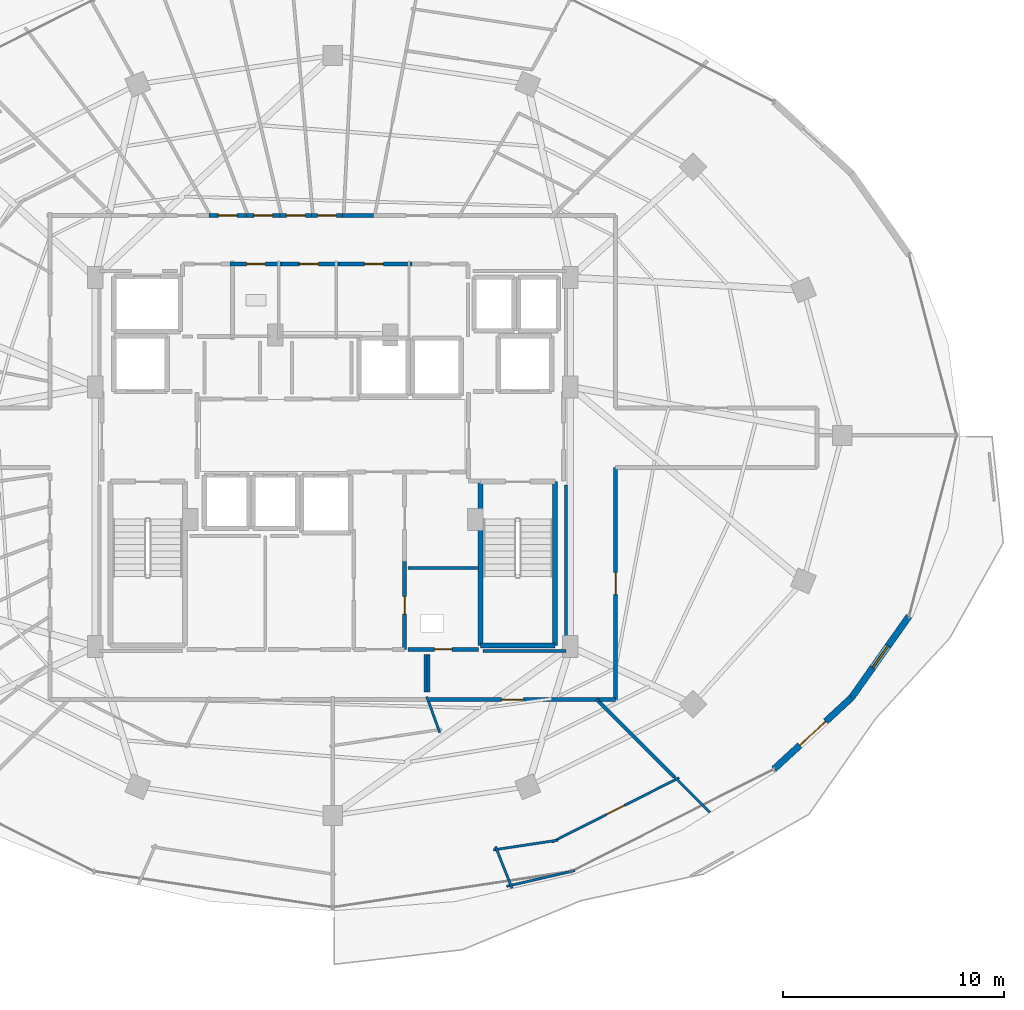
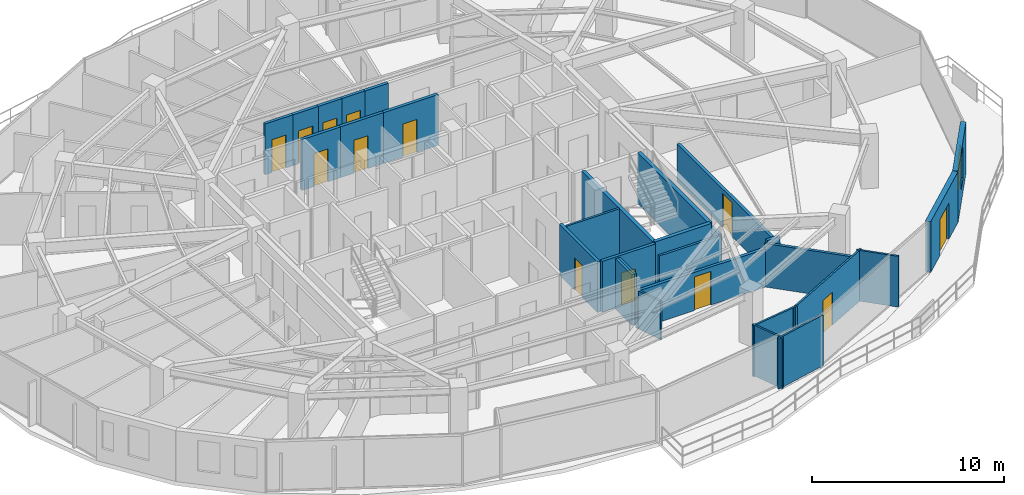
# One storey, part 27 of 33: 30 walls, 13 doors, 1 window, 14 openings.
"""IFC4 building model written with IfcOpenShell, lengths in metres."""

from ifc_helpers import new_model, si_unit, direction, frame, frame_2d, origin, place, context, subcontext, project, spatial, rectangle, extrude, material, layer, layer_set, type_object, element, fill, save


model = new_model("IFC4")

# Units and contexts
model_context = context("Model", 3, precision=1e-05, world=origin(), true_north=direction((0.0, 1.0)))
body_context = subcontext(model_context, "Body", "Model", "MODEL_VIEW")
ifc_project = project(units=[si_unit("LENGTHUNIT", "METRE"), si_unit("AREAUNIT", "SQUARE_METRE"), si_unit("VOLUMEUNIT", "CUBIC_METRE"), si_unit("PLANEANGLEUNIT", "RADIAN"), si_unit("MASSUNIT", "GRAM", prefix="KILO")], contexts=[model_context])

# Site, building, storey
site_placement = place(None, origin())
site = spatial("IfcSite", under=ifc_project, at=site_placement, CompositionType="ELEMENT")
building_placement = place(site_placement, origin())
building = spatial("IfcBuilding", under=site, at=building_placement, Name="Vorneva Point Tower", CompositionType="ELEMENT")
storey_placement = place(building_placement, frame((0.0, 0.0, 189.60009765625)))
storey = spatial("IfcBuildingStorey", under=building, at=storey_placement, Name="L51", CompositionType="ELEMENT", Elevation=189.60009765625)

# Wall, opening, door
ifc_material_1 = material(Name="Precast concrete B50 (C40/50)", Category="concrete")
ifc_layer_1 = layer(ifc_material_1, 0.300048828125)
ifc_layer_set_1 = layer_set([ifc_layer_1], Name="Precast concrete B50 (C40/50)")
wall_type_1 = type_object("IfcWallType", Name="WL-EXT-300", PredefinedType="STANDARD", material=ifc_layer_set_1)
wall_1_placement = place(storey_placement, frame((57.961669921875, 10.9033203125, 0.0), z_axis=(0.0, 0.0, 1.0), x_axis=(0.735359993374, 0.677676678177, 0.0)))
wall_1 = element("IfcWall", 1, at=wall_1_placement, inside=storey, type_object=wall_type_1, Name="L51 Pale-Metal Facade Spandrel Wall 15.1", PredefinedType="STANDARD", context=body_context, shape_type="SweptSolid", body=[
    extrude(rectangle(XDim=4.774169921875, YDim=0.300048828125, at=frame_2d((2.38720703125, 0.0))), origin(), (0.0, 0.0, 1.0), 3.239990234375),
])
opening_1_placement = place(wall_1_placement, frame((1.587158203125, 0.0, 0.0)))
opening_1 = element("IfcOpeningElement", 2, at=opening_1_placement, cuts=wall_1, Name="Opening BD-01", PredefinedType="OPENING", context=body_context, shape_type="SweptSolid", body=[
    extrude(rectangle(XDim=1.60009765625, YDim=2.300048828125, at=frame_2d((0.800048828125, 1.14990234375))), frame((0.0, 0.1650390625, 0.0), z_axis=(0.0, -1.0, 0.0), x_axis=(1.0, 0.0, 0.0)), (0.0, 0.0, 1.0), 0.329833984375),
])
ifc_material_2 = material(Name="Pale anodised aluminium", Category="aluminium")
door_type_1 = type_object("IfcDoorType", Name="DR-BAL-1600", OperationType="SLIDING_TO_LEFT", PredefinedType="DOOR", material=ifc_material_2)
door_1_placement = place(opening_1_placement, origin())
door_1 = element("IfcDoor", 3, at=door_1_placement, inside=storey, type_object=door_type_1, Name="L51 Balcony Terrace Access Door 15", OperationType="SLIDING_TO_LEFT", OverallHeight=2.300048828125, OverallWidth=1.60009765625, PredefinedType="DOOR", context=body_context, shape_type="SweptSolid", body=[
    extrude(rectangle(XDim=1.60009765625, YDim=2.300048828125, at=frame_2d((0.800048828125, 1.14990234375))), frame((0.0, 0.02490234375, 0.0), z_axis=(0.0, -1.0, 0.0), x_axis=(1.0, 0.0, 0.0)), (0.0, 0.0, 1.0), 0.050048828125),
])
fill(opening_1, door_1)

# Wall, opening, window
wall_2_placement = place(storey_placement, frame((61.472412109375, 14.138671875, 0.0), z_axis=(0.0, 0.0, 1.0), x_axis=(0.577168747264, 0.81662490605, 0.0)))
wall_2 = element("IfcWall", 4, at=wall_2_placement, inside=storey, type_object=wall_type_1, Name="L51 Pale-Metal Facade Spandrel Wall 15.2", PredefinedType="STANDARD", context=body_context, shape_type="SweptSolid", body=[
    extrude(rectangle(XDim=4.519775390625, YDim=0.300048828125, at=frame_2d((2.259765625, 0.0))), origin(), (0.0, 0.0, 1.0), 3.239990234375),
])
opening_2_placement = place(wall_2_placement, frame((1.659912109375, 0.0, 0.85009765625)))
opening_2 = element("IfcOpeningElement", 5, at=opening_2_placement, cuts=wall_2, Name="Opening W-04", PredefinedType="OPENING", context=body_context, shape_type="SweptSolid", body=[
    extrude(rectangle(XDim=1.199951171875, YDim=2.10009765625, at=frame_2d((0.60009765625, 1.050048828125))), frame((0.0, 0.1650390625, 0.0), z_axis=(0.0, -1.0, 0.0), x_axis=(1.0, 0.0, 0.0)), (0.0, 0.0, 1.0), 0.329833984375),
])
ifc_material_3 = material(Name="Double low-e laminated glass IGU", Category="glass")
window_type = type_object("IfcWindowType", Name="WN-RES-1200", PartitioningType="SINGLE_PANEL", PredefinedType="WINDOW", material=ifc_material_3)
window_placement = place(opening_2_placement, origin())
window = element("IfcWindow", 6, at=window_placement, inside=storey, type_object=window_type, Name="L51 Facade Window 15", OverallHeight=2.10009765625, OverallWidth=1.199951171875, PartitioningType="SINGLE_PANEL", PredefinedType="WINDOW", context=body_context, shape_type="SweptSolid", body=[
    extrude(rectangle(XDim=1.199951171875, YDim=2.10009765625, at=frame_2d((0.60009765625, 1.050048828125))), frame((0.0, 0.030029296875, 0.0), z_axis=(0.0, -1.0, 0.0), x_axis=(1.0, 0.0, 0.0)), (0.0, 0.0, 1.0), 0.06005859375),
])
fill(opening_2, window)

# Walls
ifc_material_4 = material(Name="Fire-rated acoustic gypsum stud partition", Category="gypsum")
ifc_layer_2 = layer(ifc_material_4, 0.110107421875)
ifc_layer_set_2 = layer_set([ifc_layer_2], Name="Fire-rated acoustic gypsum stud partition")
wall_type_2 = type_object("IfcWallType", Name="WL-PART-110", PredefinedType="PARTITIONING", material=ifc_layer_set_2)
wall_3_placement = place(storey_placement, frame((42.25439453125, 14.181640625, 0.0), z_axis=(0.0, 0.0, 1.0), x_axis=(0.339193876721, -0.940716489701, 0.0)))
element("IfcWall", 7, at=wall_3_placement, inside=storey, type_object=wall_type_2, Name="L51 Interior Partition 124", PredefinedType="PARTITIONING", context=body_context, shape_type="SweptSolid", body=[
    extrude(rectangle(XDim=1.73095703125, YDim=0.110107421875, at=frame_2d((0.865478515625, 0.0))), origin(), (0.0, 0.0, 1.0), 2.431884765625),
])
wall_4_placement = place(storey_placement, frame((46.109619140625, 5.516845703125, 0.0), z_axis=(0.0, 0.0, 1.0), x_axis=(-0.368148258243, 0.929767099844, 0.0)))
element("IfcWall", 8, at=wall_4_placement, inside=storey, type_object=wall_type_2, Name="L51 Interior Partition 126", PredefinedType="PARTITIONING", context=body_context, shape_type="SweptSolid", body=[
    extrude(rectangle(XDim=2.026611328125, YDim=0.110107421875, at=frame_2d((1.01318359375, 0.0))), origin(), (0.0, 0.0, 1.0), 3.239990234375),
])
wall_5_placement = place(storey_placement, frame((45.276611328125, 7.25, 0.0), z_axis=(0.0, 0.0, 1.0), x_axis=(0.988815285508, 0.149145335648, 0.0)))
element("IfcWall", 9, at=wall_5_placement, inside=storey, type_object=wall_type_2, Name="L51 Interior Partition 127", PredefinedType="PARTITIONING", context=body_context, shape_type="SweptSolid", body=[
    extrude(rectangle(XDim=2.936767578125, YDim=0.110107421875, at=frame_2d((1.46826171875, 0.0))), origin(), (0.0, 0.0, 1.0), 3.239990234375),
])

# Wall, opening, door
wall_6_placement = place(storey_placement, frame((47.9169921875, 7.60400390625, 0.0), z_axis=(0.0, 0.0, 1.0), x_axis=(0.892549884102, 0.450948671569, 0.0)))
wall_6 = element("IfcWall", 10, at=wall_6_placement, inside=storey, type_object=wall_type_2, Name="L51 Interior Partition 128", PredefinedType="PARTITIONING", context=body_context, shape_type="SweptSolid", body=[
    extrude(rectangle(XDim=6.451171875, YDim=0.110107421875, at=frame_2d((3.2255859375, 0.0))), origin(), (0.0, 0.0, 1.0), 3.239990234375),
])
opening_3_placement = place(wall_6_placement, frame((2.775634765625, 0.0, 0.0)))
opening_3 = element("IfcOpeningElement", 11, at=opening_3_placement, cuts=wall_6, Name="Opening ID-01", PredefinedType="OPENING", context=body_context, shape_type="SweptSolid", body=[
    extrude(rectangle(XDim=0.89990234375, YDim=2.10009765625, at=frame_2d((0.449951171875, 1.050048828125))), frame((0.0, 0.06982421875, 0.0), z_axis=(0.0, -1.0, 0.0), x_axis=(1.0, 0.0, 0.0)), (0.0, 0.0, 1.0), 0.139892578125),
])
ifc_material_5 = material(Name="Engineered oak fire-rated door leaf", Category="wood")
door_type_2 = type_object("IfcDoorType", Name="DR-ROOM-900", OperationType="NOTDEFINED", PredefinedType="DOOR", material=ifc_material_5)
door_2_placement = place(opening_3_placement, origin())
door_2 = element("IfcDoor", 12, at=door_2_placement, inside=storey, type_object=door_type_2, Name="L51 Door Studio Apartment L51-04 / Kitchen L51-04", OperationType="SINGLE_SWING_LEFT", OverallHeight=2.10009765625, OverallWidth=0.89990234375, PredefinedType="DOOR", context=body_context, shape_type="SweptSolid", body=[
    extrude(rectangle(XDim=0.89990234375, YDim=2.10009765625, at=frame_2d((0.449951171875, 1.050048828125))), frame((0.0, 0.02490234375, 0.0), z_axis=(0.0, -1.0, 0.0), x_axis=(1.0, 0.0, 0.0)), (0.0, 0.0, 1.0), 0.050048828125),
])
fill(opening_3, door_2)

# Walls
wall_7_placement = place(storey_placement, frame((53.450927734375, 10.549072265625, 0.0), z_axis=(0.0, 0.0, 1.0), x_axis=(0.707106781187, -0.707106781187, 0.0)))
element("IfcWall", 13, at=wall_7_placement, inside=storey, type_object=wall_type_2, Name="L51 Interior Partition 129", PredefinedType="PARTITIONING", context=body_context, shape_type="SweptSolid", body=[
    extrude(rectangle(XDim=2.27294921875, YDim=0.110107421875, at=frame_2d((1.136474609375, 0.0))), origin(), (0.0, 0.0, 1.0), 3.239990234375),
])
wall_8_placement = place(storey_placement, frame((45.862548828125, 5.601806640625, 0.0), z_axis=(0.0, 0.0, 1.0), x_axis=(0.974621780148, 0.223857958671, 0.0)))
element("IfcWall", 14, at=wall_8_placement, inside=storey, type_object=wall_type_2, Name="L51 Interior Partition 130", PredefinedType="PARTITIONING", context=body_context, shape_type="SweptSolid", body=[
    extrude(rectangle(XDim=3.169189453125, YDim=0.110107421875, at=frame_2d((1.58447265625, 0.0))), origin(), (0.0, 0.0, 1.0), 3.239990234375),
])
ifc_layer_3 = layer(ifc_material_4, 0.125)
ifc_layer_set_3 = layer_set([ifc_layer_3], Name="Fire-rated acoustic gypsum stud partition")
wall_type_3 = type_object("IfcWallType", Name="WL-PART-125", PredefinedType="PARTITIONING", material=ifc_layer_set_3)
wall_9_placement = place(storey_placement, frame((44.60009765625, 20.0, 0.0), z_axis=(0.0, 0.0, 1.0), x_axis=(-1.0, 0.0, 0.0)))
element("IfcWall", 15, at=wall_9_placement, inside=storey, type_object=wall_type_3, Name="L51 Interior Partition 018", PredefinedType="PARTITIONING", context=body_context, shape_type="SweptSolid", body=[
    extrude(rectangle(XDim=3.2001953125, YDim=0.125, at=frame_2d((1.60009765625, 0.0))), origin(), (0.0, 0.0, 1.0), 3.239990234375),
])
ifc_layer_4 = layer(ifc_material_4, 0.139892578125)
ifc_layer_set_4 = layer_set([ifc_layer_4], Name="Fire-rated acoustic gypsum stud partition")
wall_type_4 = type_object("IfcWallType", Name="WL-PART-140", PredefinedType="PARTITIONING", material=ifc_layer_set_4)
wall_10_placement = place(storey_placement, frame((42.199951171875, 16.10009765625, 0.0), z_axis=(0.0, 0.0, 1.0), x_axis=(0.0, -1.0, 0.0)))
element("IfcWall", 16, at=wall_10_placement, inside=storey, type_object=wall_type_4, Name="L51 Interior Closure Partition 150", PredefinedType="PARTITIONING", context=body_context, shape_type="SweptSolid", body=[
    extrude(rectangle(XDim=1.705078125, YDim=0.139892578125, at=frame_2d((0.8525390625, 0.0))), origin(), (0.0, 0.0, 1.0), 3.239990234375),
])
wall_11_placement = place(storey_placement, frame((42.340087890625, 14.384033203125, 0.0), z_axis=(0.0, 0.0, 1.0), x_axis=(0.0, 1.0, 0.0)))
element("IfcWall", 17, at=wall_11_placement, inside=storey, type_object=wall_type_4, Name="L51 Interior Closure Partition 151", PredefinedType="PARTITIONING", context=body_context, shape_type="SweptSolid", body=[
    extrude(rectangle(XDim=1.716064453125, YDim=0.139892578125, at=frame_2d((0.85791015625, 0.0))), origin(), (0.0, 0.0, 1.0), 3.239990234375),
])
wall_12_placement = place(storey_placement, frame((44.804931640625, 16.239990234375, 0.0), z_axis=(0.0, 0.0, 1.0), x_axis=(1.0, 0.0, 0.0)))
element("IfcWall", 18, at=wall_12_placement, inside=storey, type_object=wall_type_4, Name="L51 Interior Closure Partition 152", PredefinedType="PARTITIONING", context=body_context, shape_type="SweptSolid", body=[
    extrude(rectangle(XDim=3.7451171875, YDim=0.139892578125, at=frame_2d((1.87255859375, 0.0))), origin(), (0.0, 0.0, 1.0), 2.431884765625),
])
wall_13_placement = place(storey_placement, frame((48.550048828125, 16.239990234375, 0.0), z_axis=(0.0, 0.0, 1.0), x_axis=(0.0, 1.0, 0.0)))
element("IfcWall", 19, at=wall_13_placement, inside=storey, type_object=wall_type_4, Name="L51 Interior Closure Partition 153", PredefinedType="PARTITIONING", context=body_context, shape_type="SweptSolid", body=[
    extrude(rectangle(XDim=7.513916015625, YDim=0.139892578125, at=frame_2d((3.7568359375, 0.0))), origin(), (0.0, 0.0, 1.0), 2.431884765625),
])
ifc_layer_5 = layer(ifc_material_4, 0.159912109375)
ifc_layer_set_5 = layer_set([ifc_layer_5], Name="Fire-rated acoustic gypsum stud partition")
wall_type_5 = type_object("IfcWallType", Name="WL-PART-160", PredefinedType="PARTITIONING", material=ifc_layer_set_5)
wall_14_placement = place(storey_placement, frame((53.450927734375, 10.549072265625, 0.0), z_axis=(0.0, 0.0, 1.0), x_axis=(-0.707106781187, 0.707106781187, 0.0)))
element("IfcWall", 20, at=wall_14_placement, inside=storey, type_object=wall_type_5, Name="L51 Interior Partition 131", PredefinedType="PARTITIONING", context=body_context, shape_type="SweptSolid", body=[
    extrude(rectangle(XDim=4.951171875, YDim=0.159912109375, at=frame_2d((2.4755859375, 0.0))), origin(), (0.0, 0.0, 1.0), 2.77392578125),
])

# Wall, opening, door
ifc_material_6 = material(Name="Autoclaved aerated concrete blockwork", Category="masonry")
ifc_layer_6 = layer(ifc_material_6, 0.179931640625)
ifc_layer_set_6 = layer_set([ifc_layer_6], Name="Autoclaved aerated concrete blockwork")
wall_type_6 = type_object("IfcWallType", Name="WL-PART-180", PredefinedType="PARTITIONING", material=ifc_layer_set_6)
wall_15_placement = place(storey_placement, frame((41.25, 16.320068359375, 0.0), z_axis=(0.0, 0.0, 1.0), x_axis=(0.0, 1.0, 0.0)))
wall_15 = element("IfcWall", 21, at=wall_15_placement, inside=storey, type_object=wall_type_6, Name="L51 Interior Partition 014", PredefinedType="PARTITIONING", context=body_context, shape_type="SweptSolid", body=[
    extrude(rectangle(XDim=3.98486328125, YDim=0.179931640625, at=frame_2d((1.992431640625, 0.0))), origin(), (0.0, 0.0, 1.0), 3.239990234375),
])
opening_4_placement = place(wall_15_placement, frame((1.592529296875, 0.0, 0.0)))
opening_4 = element("IfcOpeningElement", 22, at=opening_4_placement, cuts=wall_15, Name="Opening RD-01", PredefinedType="OPENING", context=body_context, shape_type="SweptSolid", body=[
    extrude(rectangle(XDim=0.800048828125, YDim=2.050048828125, at=frame_2d((0.39990234375, 1.02490234375))), frame((0.0, 0.10498046875, 0.0), z_axis=(0.0, -1.0, 0.0), x_axis=(1.0, 0.0, 0.0)), (0.0, 0.0, 1.0), 0.209716796875),
])
ifc_material_7 = material(Name="Fire-rated powder-coated steel", Category="steel")
door_type_3 = type_object("IfcDoorType", Name="DR-RSR-800", OperationType="SINGLE_SWING_LEFT", PredefinedType="DOOR", material=ifc_material_7)
door_3_placement = place(opening_4_placement, origin())
door_3 = element("IfcDoor", 23, at=door_3_placement, inside=storey, type_object=door_type_3, Name="L51 Door Core Service Lobby / Electrical Riser", OperationType="SINGLE_SWING_LEFT", OverallHeight=2.050048828125, OverallWidth=0.800048828125, PredefinedType="DOOR", context=body_context, shape_type="SweptSolid", body=[
    extrude(rectangle(XDim=0.800048828125, YDim=2.050048828125, at=frame_2d((0.39990234375, 1.02490234375))), frame((0.0, 0.02490234375, 0.0), z_axis=(0.0, -1.0, 0.0), x_axis=(1.0, 0.0, 0.0)), (0.0, 0.0, 1.0), 0.050048828125),
])
fill(opening_4, door_3)

wall_16_placement = place(storey_placement, frame((41.39990234375, 16.320068359375, 0.0), z_axis=(0.0, 0.0, 1.0), x_axis=(1.0, 0.0, 0.0)))
wall_16 = element("IfcWall", 24, at=wall_16_placement, inside=storey, type_object=wall_type_6, Name="L51 Interior Partition 019", PredefinedType="PARTITIONING", context=body_context, shape_type="SweptSolid", body=[
    extrude(rectangle(XDim=3.2001953125, YDim=0.179931640625, at=frame_2d((1.60009765625, 0.0))), origin(), (0.0, 0.0, 1.0), 3.239990234375),
])
opening_5_placement = place(wall_16_placement, frame((1.199951171875, 0.0, 0.0)))
opening_5 = element("IfcOpeningElement", 25, at=opening_5_placement, cuts=wall_16, Name="Opening RD-01", PredefinedType="OPENING", context=body_context, shape_type="SweptSolid", body=[
    extrude(rectangle(XDim=0.800048828125, YDim=2.050048828125, at=frame_2d((0.39990234375, 1.02490234375))), frame((0.0, 0.10498046875, 0.0), z_axis=(0.0, -1.0, 0.0), x_axis=(1.0, 0.0, 0.0)), (0.0, 0.0, 1.0), 0.209716796875),
])
door_4_placement = place(opening_5_placement, origin())
door_4 = element("IfcDoor", 26, at=door_4_placement, inside=storey, type_object=door_type_3, Name="L51 Door Electrical Riser / L51 Circulation Corridor", OperationType="SINGLE_SWING_LEFT", OverallHeight=2.050048828125, OverallWidth=0.800048828125, PredefinedType="DOOR", context=body_context, shape_type="SweptSolid", body=[
    extrude(rectangle(XDim=0.800048828125, YDim=2.050048828125, at=frame_2d((0.39990234375, 1.02490234375))), frame((0.0, 0.02490234375, 0.0), z_axis=(0.0, -1.0, 0.0), x_axis=(1.0, 0.0, 0.0)), (0.0, 0.0, 1.0), 0.050048828125),
])
fill(opening_5, door_4)

wall_17_placement = place(storey_placement, frame((35.68994140625, 33.760009765625, 0.0), z_axis=(0.0, 0.0, 1.0), x_axis=(-1.0, 0.0, 0.0)))
wall_17 = element("IfcWall", 27, at=wall_17_placement, inside=storey, type_object=wall_type_6, Name="L51 Interior Partition 022", PredefinedType="PARTITIONING", context=body_context, shape_type="SweptSolid", body=[
    extrude(rectangle(XDim=2.329833984375, YDim=0.179931640625, at=frame_2d((1.1650390625, 0.0))), origin(), (0.0, 0.0, 1.0), 3.239990234375),
])
opening_6_placement = place(wall_17_placement, frame((0.739990234375, 0.0, 0.0)))
opening_6 = element("IfcOpeningElement", 28, at=opening_6_placement, cuts=wall_17, Name="Opening ID-02", PredefinedType="OPENING", context=body_context, shape_type="SweptSolid", body=[
    extrude(rectangle(XDim=0.85009765625, YDim=2.10009765625, at=frame_2d((0.425048828125, 1.050048828125))), frame((0.0, 0.10498046875, 0.0), z_axis=(0.0, -1.0, 0.0), x_axis=(1.0, 0.0, 0.0)), (0.0, 0.0, 1.0), 0.209716796875),
])
door_type_4 = type_object("IfcDoorType", Name="DR-BATH-850", OperationType="NOTDEFINED", PredefinedType="DOOR", material=ifc_material_5)
door_5_placement = place(opening_6_placement, origin())
door_5 = element("IfcDoor", 29, at=door_5_placement, inside=storey, type_object=door_type_4, Name="L51 Door Accessible WC / L51 Circulation Corridor", OperationType="SINGLE_SWING_RIGHT", OverallHeight=2.10009765625, OverallWidth=0.85009765625, PredefinedType="DOOR", context=body_context, shape_type="SweptSolid", body=[
    extrude(rectangle(XDim=0.85009765625, YDim=2.10009765625, at=frame_2d((0.425048828125, 1.050048828125))), frame((0.0, 0.02490234375, 0.0), z_axis=(0.0, -1.0, 0.0), x_axis=(1.0, 0.0, 0.0)), (0.0, 0.0, 1.0), 0.050048828125),
])
fill(opening_6, door_5)

wall_18_placement = place(storey_placement, frame((38.2900390625, 33.760009765625, 0.0), z_axis=(0.0, 0.0, 1.0), x_axis=(-1.0, 0.0, 0.0)))
wall_18 = element("IfcWall", 30, at=wall_18_placement, inside=storey, type_object=wall_type_6, Name="L51 Interior Partition 025", PredefinedType="PARTITIONING", context=body_context, shape_type="SweptSolid", body=[
    extrude(rectangle(XDim=2.739990234375, YDim=0.179931640625, at=frame_2d((1.3701171875, 0.0))), origin(), (0.0, 0.0, 1.0), 3.239990234375),
])
opening_7_placement = place(wall_18_placement, frame((0.945068359375, 0.0, 0.0)))
opening_7 = element("IfcOpeningElement", 31, at=opening_7_placement, cuts=wall_18, Name="Opening ID-02", PredefinedType="OPENING", context=body_context, shape_type="SweptSolid", body=[
    extrude(rectangle(XDim=0.85009765625, YDim=2.10009765625, at=frame_2d((0.425048828125, 1.050048828125))), frame((0.0, 0.10498046875, 0.0), z_axis=(0.0, -1.0, 0.0), x_axis=(1.0, 0.0, 0.0)), (0.0, 0.0, 1.0), 0.209716796875),
])
door_6_placement = place(opening_7_placement, origin())
door_6 = element("IfcDoor", 32, at=door_6_placement, inside=storey, type_object=door_type_4, Name="L51 Door Public Male WC / L51 Circulation Corridor", OperationType="SINGLE_SWING_LEFT", OverallHeight=2.10009765625, OverallWidth=0.85009765625, PredefinedType="DOOR", context=body_context, shape_type="SweptSolid", body=[
    extrude(rectangle(XDim=0.85009765625, YDim=2.10009765625, at=frame_2d((0.425048828125, 1.050048828125))), frame((0.0, 0.02490234375, 0.0), z_axis=(0.0, -1.0, 0.0), x_axis=(1.0, 0.0, 0.0)), (0.0, 0.0, 1.0), 0.050048828125),
])
fill(opening_7, door_6)

wall_19_placement = place(storey_placement, frame((41.590087890625, 33.760009765625, 0.0), z_axis=(0.0, 0.0, 1.0), x_axis=(-1.0, 0.0, 0.0)))
wall_19 = element("IfcWall", 33, at=wall_19_placement, inside=storey, type_object=wall_type_6, Name="L51 Interior Partition 028", PredefinedType="PARTITIONING", context=body_context, shape_type="SweptSolid", body=[
    extrude(rectangle(XDim=3.440185546875, YDim=0.179931640625, at=frame_2d((1.72021484375, 0.0))), origin(), (0.0, 0.0, 1.0), 3.239990234375),
])
opening_8_placement = place(wall_19_placement, frame((1.294921875, 0.0, 0.0)))
opening_8 = element("IfcOpeningElement", 34, at=opening_8_placement, cuts=wall_19, Name="Opening ID-02", PredefinedType="OPENING", context=body_context, shape_type="SweptSolid", body=[
    extrude(rectangle(XDim=0.85009765625, YDim=2.10009765625, at=frame_2d((0.425048828125, 1.050048828125))), frame((0.0, 0.10498046875, 0.0), z_axis=(0.0, -1.0, 0.0), x_axis=(1.0, 0.0, 0.0)), (0.0, 0.0, 1.0), 0.209716796875),
])
door_7_placement = place(opening_8_placement, origin())
door_7 = element("IfcDoor", 35, at=door_7_placement, inside=storey, type_object=door_type_4, Name="L51 Door Public Female WC / L51 Circulation Corridor", OperationType="SINGLE_SWING_RIGHT", OverallHeight=2.10009765625, OverallWidth=0.85009765625, PredefinedType="DOOR", context=body_context, shape_type="SweptSolid", body=[
    extrude(rectangle(XDim=0.85009765625, YDim=2.10009765625, at=frame_2d((0.425048828125, 1.050048828125))), frame((0.0, 0.02490234375, 0.0), z_axis=(0.0, -1.0, 0.0), x_axis=(1.0, 0.0, 0.0)), (0.0, 0.0, 1.0), 0.050048828125),
])
fill(opening_8, door_7)

# Wall
wall_20_placement = place(storey_placement, frame((39.837890625, 35.949951171875, 0.0), z_axis=(0.0, 0.0, 1.0), x_axis=(-1.0, 0.0, 0.0)))
element("IfcWall", 36, at=wall_20_placement, inside=storey, type_object=wall_type_6, Name="L51 Interior Partition 036", PredefinedType="PARTITIONING", context=body_context, shape_type="SweptSolid", body=[
    extrude(rectangle(XDim=1.406005859375, YDim=0.179931640625, at=frame_2d((0.703125, 0.0))), origin(), (0.0, 0.0, 1.0), 3.239990234375),
])

# Wall, opening, door
wall_21_placement = place(storey_placement, frame((38.431884765625, 35.949951171875, 0.0), z_axis=(0.0, 0.0, 1.0), x_axis=(-1.0, 0.0, 0.0)))
wall_21 = element("IfcWall", 37, at=wall_21_placement, inside=storey, type_object=wall_type_6, Name="L51 Interior Partition 037", PredefinedType="PARTITIONING", context=body_context, shape_type="SweptSolid", body=[
    extrude(rectangle(XDim=1.387939453125, YDim=0.179931640625, at=frame_2d((0.69384765625, 0.0))), origin(), (0.0, 0.0, 1.0), 3.239990234375),
])
opening_9_placement = place(wall_21_placement, frame((0.26904296875, 0.0, 0.0)))
opening_9 = element("IfcOpeningElement", 38, at=opening_9_placement, cuts=wall_21, Name="Opening ID-02", PredefinedType="OPENING", context=body_context, shape_type="SweptSolid", body=[
    extrude(rectangle(XDim=0.85009765625, YDim=2.10009765625, at=frame_2d((0.425048828125, 1.050048828125))), frame((0.0, 0.10498046875, 0.0), z_axis=(0.0, -1.0, 0.0), x_axis=(1.0, 0.0, 0.0)), (0.0, 0.0, 1.0), 0.209716796875),
])
door_8_placement = place(opening_9_placement, origin())
door_8 = element("IfcDoor", 39, at=door_8_placement, inside=storey, type_object=door_type_4, Name="L51 Access Door L51 Circulation Corridor", OperationType="SINGLE_SWING_RIGHT", OverallHeight=2.10009765625, OverallWidth=0.85009765625, PredefinedType="DOOR", context=body_context, shape_type="SweptSolid", body=[
    extrude(rectangle(XDim=0.85009765625, YDim=2.10009765625, at=frame_2d((0.425048828125, 1.050048828125))), frame((0.0, 0.02490234375, 0.0), z_axis=(0.0, -1.0, 0.0), x_axis=(1.0, 0.0, 0.0)), (0.0, 0.0, 1.0), 0.050048828125),
])
fill(opening_9, door_8)

wall_22_placement = place(storey_placement, frame((37.0439453125, 35.949951171875, 0.0), z_axis=(0.0, 0.0, 1.0), x_axis=(-1.0, 0.0, 0.0)))
wall_22 = element("IfcWall", 40, at=wall_22_placement, inside=storey, type_object=wall_type_6, Name="L51 Interior Partition 038", PredefinedType="PARTITIONING", context=body_context, shape_type="SweptSolid", body=[
    extrude(rectangle(XDim=1.423828125, YDim=0.179931640625, at=frame_2d((0.7119140625, 0.0))), origin(), (0.0, 0.0, 1.0), 3.239990234375),
])
opening_10_placement = place(wall_22_placement, frame((0.287109375, 0.0, 0.0)))
opening_10 = element("IfcOpeningElement", 41, at=opening_10_placement, cuts=wall_22, Name="Opening ID-02", PredefinedType="OPENING", context=body_context, shape_type="SweptSolid", body=[
    extrude(rectangle(XDim=0.85009765625, YDim=2.10009765625, at=frame_2d((0.425048828125, 1.050048828125))), frame((0.0, 0.10498046875, 0.0), z_axis=(0.0, -1.0, 0.0), x_axis=(1.0, 0.0, 0.0)), (0.0, 0.0, 1.0), 0.209716796875),
])
door_9_placement = place(opening_10_placement, origin())
door_9 = element("IfcDoor", 42, at=door_9_placement, inside=storey, type_object=door_type_4, Name="L51 Access Door L51 Circulation Corridor", OperationType="SINGLE_SWING_LEFT", OverallHeight=2.10009765625, OverallWidth=0.85009765625, PredefinedType="DOOR", context=body_context, shape_type="SweptSolid", body=[
    extrude(rectangle(XDim=0.85009765625, YDim=2.10009765625, at=frame_2d((0.425048828125, 1.050048828125))), frame((0.0, 0.02490234375, 0.0), z_axis=(0.0, -1.0, 0.0), x_axis=(1.0, 0.0, 0.0)), (0.0, 0.0, 1.0), 0.050048828125),
])
fill(opening_10, door_9)

wall_23_placement = place(storey_placement, frame((35.6201171875, 35.949951171875, 0.0), z_axis=(0.0, 0.0, 1.0), x_axis=(-1.0, 0.0, 0.0)))
wall_23 = element("IfcWall", 43, at=wall_23_placement, inside=storey, type_object=wall_type_6, Name="L51 Interior Partition 039", PredefinedType="PARTITIONING", context=body_context, shape_type="SweptSolid", body=[
    extrude(rectangle(XDim=1.52099609375, YDim=0.179931640625, at=frame_2d((0.760498046875, 0.0))), origin(), (0.0, 0.0, 1.0), 3.239990234375),
])
opening_11_placement = place(wall_23_placement, frame((0.33544921875, 0.0, 0.0)))
opening_11 = element("IfcOpeningElement", 44, at=opening_11_placement, cuts=wall_23, Name="Opening ID-02", PredefinedType="OPENING", context=body_context, shape_type="SweptSolid", body=[
    extrude(rectangle(XDim=0.85009765625, YDim=2.10009765625, at=frame_2d((0.425048828125, 1.050048828125))), frame((0.0, 0.10498046875, 0.0), z_axis=(0.0, -1.0, 0.0), x_axis=(1.0, 0.0, 0.0)), (0.0, 0.0, 1.0), 0.209716796875),
])
door_10_placement = place(opening_11_placement, origin())
door_10 = element("IfcDoor", 45, at=door_10_placement, inside=storey, type_object=door_type_4, Name="L51 Access Door L51 Circulation Corridor", OperationType="SINGLE_SWING_RIGHT", OverallHeight=2.10009765625, OverallWidth=0.85009765625, PredefinedType="DOOR", context=body_context, shape_type="SweptSolid", body=[
    extrude(rectangle(XDim=0.85009765625, YDim=2.10009765625, at=frame_2d((0.425048828125, 1.050048828125))), frame((0.0, 0.02490234375, 0.0), z_axis=(0.0, -1.0, 0.0), x_axis=(1.0, 0.0, 0.0)), (0.0, 0.0, 1.0), 0.050048828125),
])
fill(opening_11, door_10)

wall_24_placement = place(storey_placement, frame((34.09912109375, 35.949951171875, 0.0), z_axis=(0.0, 0.0, 1.0), x_axis=(-1.0, 0.0, 0.0)))
wall_24 = element("IfcWall", 46, at=wall_24_placement, inside=storey, type_object=wall_type_6, Name="L51 Interior Partition 040", PredefinedType="PARTITIONING", context=body_context, shape_type="SweptSolid", body=[
    extrude(rectangle(XDim=1.696044921875, YDim=0.179931640625, at=frame_2d((0.84814453125, 0.0))), origin(), (0.0, 0.0, 1.0), 3.239990234375),
])
opening_12_placement = place(wall_24_placement, frame((0.423095703125, 0.0, 0.0)))
opening_12 = element("IfcOpeningElement", 47, at=opening_12_placement, cuts=wall_24, Name="Opening ID-02", PredefinedType="OPENING", context=body_context, shape_type="SweptSolid", body=[
    extrude(rectangle(XDim=0.85009765625, YDim=2.10009765625, at=frame_2d((0.425048828125, 1.050048828125))), frame((0.0, 0.10498046875, 0.0), z_axis=(0.0, -1.0, 0.0), x_axis=(1.0, 0.0, 0.0)), (0.0, 0.0, 1.0), 0.209716796875),
])
door_11_placement = place(opening_12_placement, origin())
door_11 = element("IfcDoor", 48, at=door_11_placement, inside=storey, type_object=door_type_4, Name="L51 Access Door L51 Circulation Corridor", OperationType="SINGLE_SWING_LEFT", OverallHeight=2.10009765625, OverallWidth=0.85009765625, PredefinedType="DOOR", context=body_context, shape_type="SweptSolid", body=[
    extrude(rectangle(XDim=0.85009765625, YDim=2.10009765625, at=frame_2d((0.425048828125, 1.050048828125))), frame((0.0, 0.02490234375, 0.0), z_axis=(0.0, -1.0, 0.0), x_axis=(1.0, 0.0, 0.0)), (0.0, 0.0, 1.0), 0.050048828125),
])
fill(opening_12, door_11)

wall_25_placement = place(storey_placement, frame((42.241943359375, 14.050048828125, 0.0), z_axis=(0.0, 0.0, 1.0), x_axis=(1.0, 0.0, 0.0)))
wall_25 = element("IfcWall", 49, at=wall_25_placement, inside=storey, type_object=wall_type_6, Name="L51 Interior Partition 062", PredefinedType="PARTITIONING", context=body_context, shape_type="SweptSolid", body=[
    extrude(rectangle(XDim=7.79296875, YDim=0.179931640625, at=frame_2d((3.896484375, 0.0))), origin(), (0.0, 0.0, 1.0), 2.431884765625),
])
opening_13_placement = place(wall_25_placement, frame((3.396484375, 0.0, 0.0)))
opening_13 = element("IfcOpeningElement", 50, at=opening_13_placement, cuts=wall_25, Name="Opening UD-01", PredefinedType="OPENING", context=body_context, shape_type="SweptSolid", body=[
    extrude(rectangle(XDim=1.0, YDim=2.14990234375, at=frame_2d((0.5, 1.074951171875))), frame((0.0, 0.10498046875, 0.0), z_axis=(0.0, -1.0, 0.0), x_axis=(1.0, 0.0, 0.0)), (0.0, 0.0, 1.0), 0.209716796875),
])
door_type_5 = type_object("IfcDoorType", Name="DR-UNIT-1000", OperationType="NOTDEFINED", PredefinedType="DOOR", material=ifc_material_5)
door_12_placement = place(opening_13_placement, origin())
door_12 = element("IfcDoor", 51, at=door_12_placement, inside=storey, type_object=door_type_5, Name="L51 Door L51 Circulation Corridor / Studio Apartment L51-04", OperationType="SINGLE_SWING_LEFT", OverallHeight=2.14990234375, OverallWidth=1.0, PredefinedType="DOOR", context=body_context, shape_type="SweptSolid", body=[
    extrude(rectangle(XDim=1.0, YDim=2.14990234375, at=frame_2d((0.5, 1.074951171875))), frame((0.0, 0.02490234375, 0.0), z_axis=(0.0, -1.0, 0.0), x_axis=(1.0, 0.0, 0.0)), (0.0, 0.0, 1.0), 0.050048828125),
])
fill(opening_13, door_12)

# Wall
wall_26_placement = place(storey_placement, frame((50.034912109375, 14.050048828125, 0.0), z_axis=(0.0, 0.0, 1.0), x_axis=(1.0, 0.0, 0.0)))
element("IfcWall", 52, at=wall_26_placement, inside=storey, type_object=wall_type_6, Name="L51 Interior Partition 064", PredefinedType="PARTITIONING", context=body_context, shape_type="SweptSolid", body=[
    extrude(rectangle(XDim=0.76513671875, YDim=0.179931640625, at=frame_2d((0.382568359375, 0.0))), origin(), (0.0, 0.0, 1.0), 2.921875),
])

# Wall, opening, door
wall_27_placement = place(storey_placement, frame((50.800048828125, 14.050048828125, 0.0), z_axis=(0.0, 0.0, 1.0), x_axis=(0.0, 1.0, 0.0)))
wall_27 = element("IfcWall", 53, at=wall_27_placement, inside=storey, type_object=wall_type_6, Name="L51 Interior Partition 065", PredefinedType="PARTITIONING", context=body_context, shape_type="SweptSolid", body=[
    extrude(rectangle(XDim=10.5, YDim=0.179931640625, at=frame_2d((5.25, 0.0))), origin(), (0.0, 0.0, 1.0), 2.431884765625),
])
opening_14_placement = place(wall_27_placement, frame((4.75, 0.0, 0.0)))
opening_14 = element("IfcOpeningElement", 54, at=opening_14_placement, cuts=wall_27, Name="Opening UD-01", PredefinedType="OPENING", context=body_context, shape_type="SweptSolid", body=[
    extrude(rectangle(XDim=1.0, YDim=2.14990234375, at=frame_2d((0.5, 1.074951171875))), frame((0.0, 0.10498046875, 0.0), z_axis=(0.0, -1.0, 0.0), x_axis=(1.0, 0.0, 0.0)), (0.0, 0.0, 1.0), 0.209716796875),
])
door_13_placement = place(opening_14_placement, origin())
door_13 = element("IfcDoor", 55, at=door_13_placement, inside=storey, type_object=door_type_5, Name="L51 Door L51 Circulation Corridor / Residents Sky Lounge L51-05", OperationType="SINGLE_SWING_RIGHT", OverallHeight=2.14990234375, OverallWidth=1.0, PredefinedType="DOOR", context=body_context, shape_type="SweptSolid", body=[
    extrude(rectangle(XDim=1.0, YDim=2.14990234375, at=frame_2d((0.5, 1.074951171875))), frame((0.0, 0.02490234375, 0.0), z_axis=(0.0, -1.0, 0.0), x_axis=(1.0, 0.0, 0.0)), (0.0, 0.0, 1.0), 0.050048828125),
])
fill(opening_14, door_13)

# Walls
ifc_material_8 = material(Name="Concrete B50 (C40/50)", Category="concrete")
ifc_layer_7 = layer(ifc_material_8, 0.219970703125)
ifc_layer_set_7 = layer_set([ifc_layer_7], Name="Concrete B50 (C40/50)")
wall_type_7 = type_object("IfcWallType", Name="WL-SHFT-220", PredefinedType="SOLIDWALL", material=ifc_layer_set_7)
wall_28_placement = place(storey_placement, frame((48.06005859375, 23.909912109375, 0.0), z_axis=(0.0, 0.0, 1.0), x_axis=(0.0, -1.0, 0.0)))
element("IfcWall", 56, at=wall_28_placement, inside=storey, type_object=wall_type_7, Name="L51 Exit Stair ST2 Shaft Wall right", PredefinedType="SOLIDWALL", context=body_context, shape_type="SweptSolid", body=[
    extrude(rectangle(XDim=7.419921875, YDim=0.219970703125, at=frame_2d((3.7099609375, 0.0))), origin(), (0.0, 0.0, 1.0), 3.239990234375),
])
wall_29_placement = place(storey_placement, frame((48.06005859375, 16.489990234375, 0.0), z_axis=(0.0, 0.0, 1.0), x_axis=(-1.0, 0.0, 0.0)))
element("IfcWall", 57, at=wall_29_placement, inside=storey, type_object=wall_type_7, Name="L51 Exit Stair ST2 Shaft Wall far", PredefinedType="SOLIDWALL", context=body_context, shape_type="SweptSolid", body=[
    extrude(rectangle(XDim=3.3701171875, YDim=0.219970703125, at=frame_2d((1.68505859375, 0.0))), origin(), (0.0, 0.0, 1.0), 3.239990234375),
])
wall_30_placement = place(storey_placement, frame((44.68994140625, 16.489990234375, 0.0), z_axis=(0.0, 0.0, 1.0), x_axis=(0.0, 1.0, 0.0)))
element("IfcWall", 58, at=wall_30_placement, inside=storey, type_object=wall_type_7, Name="L51 Exit Stair ST2 Shaft Wall left", PredefinedType="SOLIDWALL", context=body_context, shape_type="SweptSolid", body=[
    extrude(rectangle(XDim=7.419921875, YDim=0.219970703125, at=frame_2d((3.7099609375, 0.0))), origin(), (0.0, 0.0, 1.0), 3.239990234375),
])

save(model, "model.ifc")
